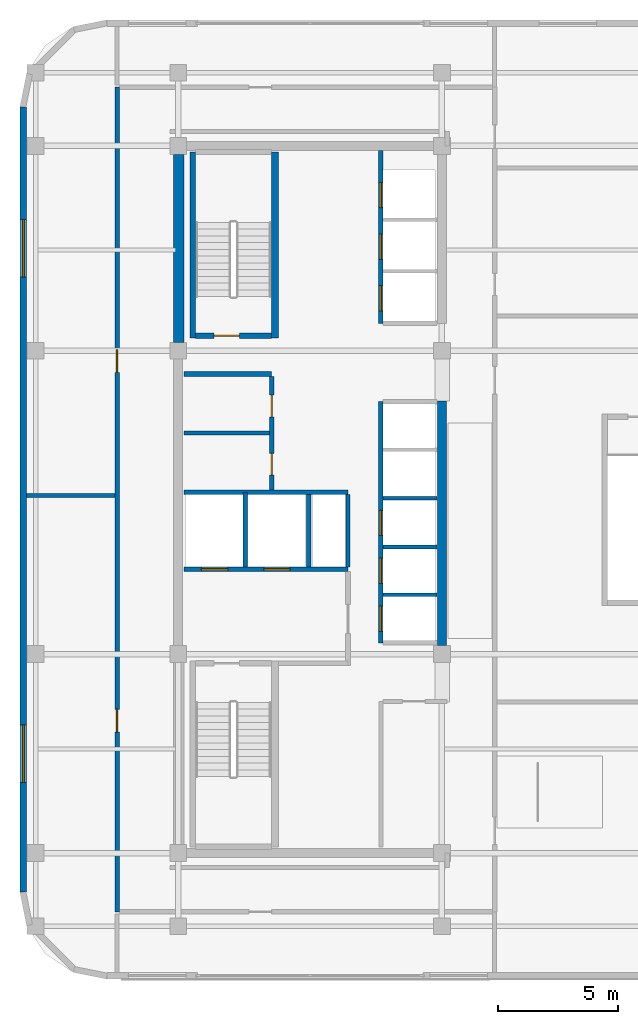
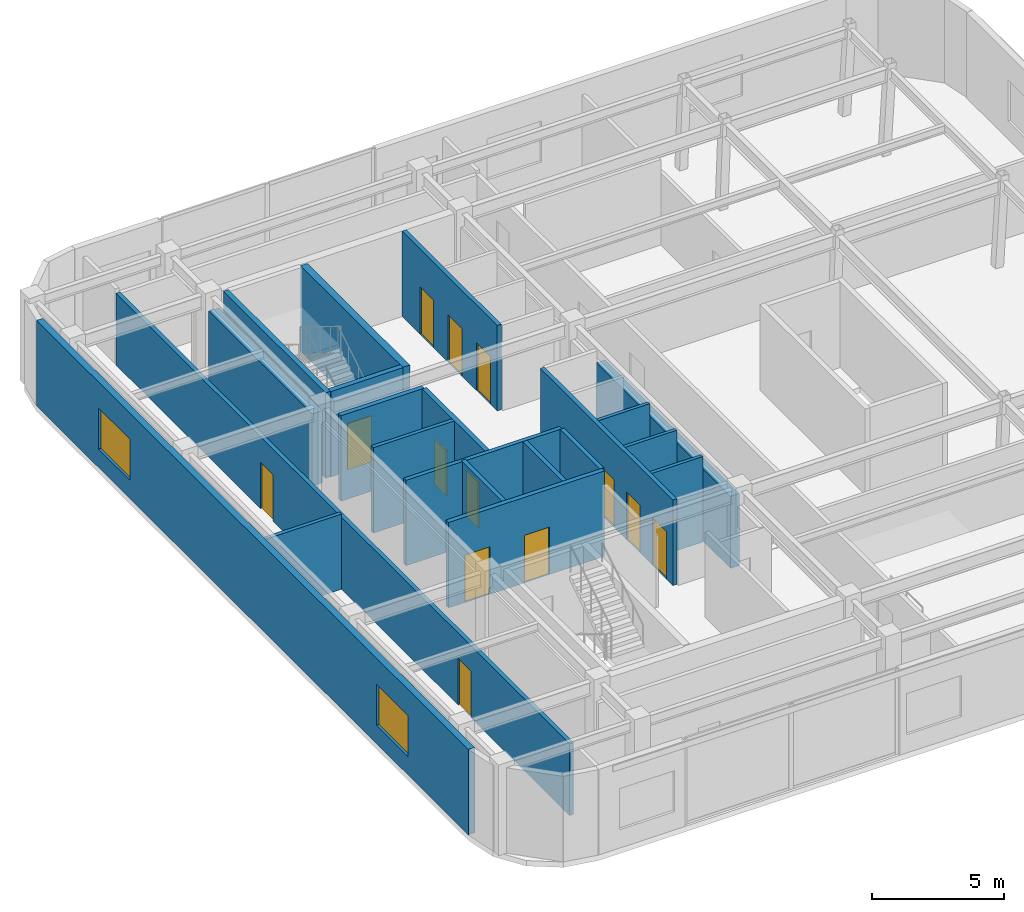
# One storey, part 6 of 11: 21 walls, 13 doors, 2 windows, 15 openings.
"""IFC4 building model written with IfcOpenShell, lengths in metres."""

from ifc_helpers import new_model, si_unit, direction, frame, frame_2d, origin, place, context, subcontext, project, spatial, rectangle, extrude, material, layer, layer_set, type_object, element, fill, save


model = new_model("IFC4")

# Units and contexts
model_context = context("Model", 3, precision=1e-05, world=origin(), true_north=direction((0.0, 1.0)))
body_context = subcontext(model_context, "Body", "Model", "MODEL_VIEW")
ifc_project = project(units=[si_unit("LENGTHUNIT", "METRE"), si_unit("AREAUNIT", "SQUARE_METRE"), si_unit("VOLUMEUNIT", "CUBIC_METRE"), si_unit("PLANEANGLEUNIT", "RADIAN"), si_unit("MASSUNIT", "GRAM", prefix="KILO")], contexts=[model_context])

# Site, building, storey
site_placement = place(None, origin())
site = spatial("IfcSite", under=ifc_project, at=site_placement, CompositionType="ELEMENT")
building_placement = place(site_placement, origin())
building = spatial("IfcBuilding", under=site, at=building_placement, Name="Ochreholt Gables", CompositionType="ELEMENT")
storey_placement = place(building_placement, frame((0.0, 0.0, 192.0)))
storey = spatial("IfcBuildingStorey", under=building, at=storey_placement, Name="L50", CompositionType="ELEMENT", Elevation=192.0)

# Walls
ifc_material_1 = material(Name="Concrete 50 MPa", Category="concrete")
ifc_layer_1 = layer(ifc_material_1, 0.3798828125, Name="Concrete 50 MPa")
ifc_layer_set_1 = layer_set([ifc_layer_1], Name="Concrete 50 MPa")
wall_type_1 = type_object("IfcWallType", Name="WALL-CSW-380", PredefinedType="SHEAR", material=ifc_layer_set_1)
wall_1_placement = place(storey_placement, frame((35.2099609375, 17.89990234375, 0.0), z_axis=(0.0, 0.0, 1.0), x_axis=(0.0, 1.0, 0.0)))
element("IfcWall", 1, at=wall_1_placement, inside=storey, type_object=wall_type_1, Name="L50 Core Central-East Shear Wall", PredefinedType="SHEAR", context=body_context, shape_type="SweptSolid", body=[
    extrude(rectangle(XDim=10.2001953125, YDim=0.3798828125, at=frame_2d((5.10009765625, 0.0))), origin(), (0.0, 0.0, 1.0), 3.347900390625),
])
ifc_material_2 = material(Name="Concrete 60 MPa", Category="concrete")
ifc_layer_2 = layer(ifc_material_2, 0.449951171875, Name="Concrete 60 MPa")
ifc_layer_set_2 = layer_set([ifc_layer_2], Name="Concrete 60 MPa")
wall_type_2 = type_object("IfcWallType", Name="WALL-CSW-450", PredefinedType="SHEAR", material=ifc_layer_set_2)
wall_2_placement = place(storey_placement, frame((24.22509765625, 30.550048828125, 0.0), z_axis=(0.0, 0.0, 1.0), x_axis=(0.0, 1.0, 0.0)))
element("IfcWall", 2, at=wall_2_placement, inside=storey, type_object=wall_type_2, Name="L50 Core West Shear Wall WN", PredefinedType="SHEAR", context=body_context, shape_type="SweptSolid", body=[
    extrude(rectangle(XDim=7.849853515625, YDim=0.449951171875, at=frame_2d((3.9248046875, 0.0))), origin(), (0.0, 0.0, 1.0), 3.347900390625),
])

# Wall, openings, windows
ifc_material_3 = material(Name="Precast concrete 40 MPa", Category="concrete")
ifc_layer_3 = layer(ifc_material_3, 0.280029296875, Name="Precast concrete 40 MPa")
ifc_layer_set_3 = layer_set([ifc_layer_3], Name="Precast concrete 40 MPa")
wall_type_3 = type_object("IfcWallType", Name="WALL-EXT-280", PredefinedType="SOLIDWALL", material=ifc_layer_set_3)
wall_3_placement = place(storey_placement, frame((17.739990234375, 40.3798828125, 0.0), z_axis=(0.0, 0.0, 1.0), x_axis=(0.0, -1.0, 0.0)))
wall_3 = element("IfcWall", 3, at=wall_3_placement, inside=storey, type_object=wall_type_3, Name="L50 West Exterior Wall", PredefinedType="SOLIDWALL", context=body_context, shape_type="SweptSolid", body=[
    extrude(rectangle(XDim=32.759765625, YDim=0.280029296875, at=frame_2d((16.3798828125, 0.0))), origin(), (0.0, 0.0, 1.0), 3.9599609375),
])
opening_1_placement = place(wall_3_placement, frame((25.780029296875, 0.0, 0.85009765625)))
opening_1 = element("IfcOpeningElement", 4, at=opening_1_placement, cuts=wall_3, Name="Opening WN-5", PredefinedType="OPENING", context=body_context, shape_type="SweptSolid", body=[
    extrude(rectangle(XDim=2.39990234375, YDim=1.89990234375, at=frame_2d((1.199951171875, 0.949951171875))), frame((0.0, 0.14990234375, 0.0), z_axis=(0.0, -1.0, 0.0), x_axis=(1.0, 0.0, 0.0)), (0.0, 0.0, 1.0), 0.300048828125),
])
opening_2_placement = place(wall_3_placement, frame((4.705078125, 0.0, 0.85009765625)))
opening_2 = element("IfcOpeningElement", 5, at=opening_2_placement, cuts=wall_3, Name="Opening WN-5", PredefinedType="OPENING", context=body_context, shape_type="SweptSolid", body=[
    extrude(rectangle(XDim=2.39990234375, YDim=1.89990234375, at=frame_2d((1.199951171875, 0.949951171875))), frame((0.0, 0.14990234375, 0.0), z_axis=(0.0, -1.0, 0.0), x_axis=(1.0, 0.0, 0.0)), (0.0, 0.0, 1.0), 0.300048828125),
])
ifc_material_4 = material(Name="Triple-Glazed Thermally Broken Aluminium Window", Category="aluminium")
window_type = type_object("IfcWindowType", Name="WIN-COM-2400", PartitioningType="SINGLE_PANEL", PredefinedType="WINDOW", material=ifc_material_4)
window_1_placement = place(opening_1_placement, origin())
window_1 = element("IfcWindow", 6, at=window_1_placement, inside=storey, type_object=window_type, Name="L50 Window W-EXT-W-L50-1", OverallHeight=1.89990234375, OverallWidth=2.39990234375, PartitioningType="SINGLE_PANEL", PredefinedType="WINDOW", context=body_context, shape_type="SweptSolid", body=[
    extrude(rectangle(XDim=2.39990234375, YDim=1.89990234375, at=frame_2d((1.199951171875, 0.949951171875))), frame((0.0, 0.030029296875, 0.0), z_axis=(0.0, -1.0, 0.0), x_axis=(1.0, 0.0, 0.0)), (0.0, 0.0, 1.0), 0.06005859375),
])
fill(opening_1, window_1)
window_2_placement = place(opening_2_placement, origin())
window_2 = element("IfcWindow", 7, at=window_2_placement, inside=storey, type_object=window_type, Name="L50 Window W-EXT-W-L50-2", OverallHeight=1.89990234375, OverallWidth=2.39990234375, PartitioningType="SINGLE_PANEL", PredefinedType="WINDOW", context=body_context, shape_type="SweptSolid", body=[
    extrude(rectangle(XDim=2.39990234375, YDim=1.89990234375, at=frame_2d((1.199951171875, 0.949951171875))), frame((0.0, 0.030029296875, 0.0), z_axis=(0.0, -1.0, 0.0), x_axis=(1.0, 0.0, 0.0)), (0.0, 0.0, 1.0), 0.06005859375),
])
fill(opening_2, window_2)

# Wall, openings, doors
ifc_material_5 = material(Name="Concrete 40 MPa", Category="concrete")
ifc_layer_4 = layer(ifc_material_5, 0.199951171875, Name="Concrete 40 MPa")
ifc_layer_set_4 = layer_set([ifc_layer_4], Name="Concrete 40 MPa")
wall_type_4 = type_object("IfcWallType", Name="WALL-INT-CF200", PredefinedType="STANDARD", material=ifc_layer_set_4)
wall_4_placement = place(storey_placement, frame((24.449951171875, 21.090087890625, 0.0), z_axis=(0.0, 0.0, 1.0), x_axis=(1.0, 0.0, 0.0)))
wall_4 = element("IfcWall", 8, at=wall_4_placement, inside=storey, type_object=wall_type_4, Name="L50 Interior Wall WI-FFN-L50", PredefinedType="STANDARD", context=body_context, shape_type="SweptSolid", body=[
    extrude(rectangle(XDim=6.830078125, YDim=0.199951171875, at=frame_2d((3.4150390625, 0.0))), origin(), (0.0, 0.0, 1.0), 3.9599609375),
])
opening_3_placement = place(wall_4_placement, frame((0.719970703125, 0.0, 0.0)))
opening_3 = element("IfcOpeningElement", 9, at=opening_3_placement, cuts=wall_4, Name="Opening LD-FF", PredefinedType="OPENING", context=body_context, shape_type="SweptSolid", body=[
    extrude(rectangle(XDim=1.10009765625, YDim=2.199951171875, at=frame_2d((0.550048828125, 1.10009765625))), frame((0.0, 0.10986328125, 0.0), z_axis=(0.0, -1.0, 0.0), x_axis=(1.0, 0.0, 0.0)), (0.0, 0.0, 1.0), 0.219970703125),
])
opening_4_placement = place(wall_4_placement, frame((3.320068359375, 0.0, 0.0)))
opening_4 = element("IfcOpeningElement", 10, at=opening_4_placement, cuts=wall_4, Name="Opening LD-FF", PredefinedType="OPENING", context=body_context, shape_type="SweptSolid", body=[
    extrude(rectangle(XDim=1.10009765625, YDim=2.199951171875, at=frame_2d((0.550048828125, 1.10009765625))), frame((0.0, 0.10986328125, 0.0), z_axis=(0.0, -1.0, 0.0), x_axis=(1.0, 0.0, 0.0)), (0.0, 0.0, 1.0), 0.219970703125),
])
ifc_material_6 = material(Name="Stainless Steel", Category="steel")
door_type_1 = type_object("IfcDoorType", Name="DR-LFT-FF1100", OperationType="NOTDEFINED", PredefinedType="DOOR", material=ifc_material_6)
door_1_placement = place(opening_3_placement, origin())
door_1 = element("IfcDoor", 11, at=door_1_placement, inside=storey, type_object=door_type_1, Name="L50 Door LD-FF1-L50", OperationType="SLIDING_TO_LEFT", OverallHeight=2.199951171875, OverallWidth=1.10009765625, PredefinedType="DOOR", context=body_context, shape_type="SweptSolid", body=[
    extrude(rectangle(XDim=1.10009765625, YDim=2.199951171875, at=frame_2d((0.550048828125, 1.10009765625))), frame((0.0, 0.02490234375, 0.0), z_axis=(0.0, -1.0, 0.0), x_axis=(1.0, 0.0, 0.0)), (0.0, 0.0, 1.0), 0.050048828125),
])
fill(opening_3, door_1)
door_2_placement = place(opening_4_placement, origin())
door_2 = element("IfcDoor", 12, at=door_2_placement, inside=storey, type_object=door_type_1, Name="L50 Door LD-FF2-L50", OperationType="SLIDING_TO_LEFT", OverallHeight=2.199951171875, OverallWidth=1.10009765625, PredefinedType="DOOR", context=body_context, shape_type="SweptSolid", body=[
    extrude(rectangle(XDim=1.10009765625, YDim=2.199951171875, at=frame_2d((0.550048828125, 1.10009765625))), frame((0.0, 0.02490234375, 0.0), z_axis=(0.0, -1.0, 0.0), x_axis=(1.0, 0.0, 0.0)), (0.0, 0.0, 1.0), 0.050048828125),
])
fill(opening_4, door_2)

# Wall
wall_5_placement = place(storey_placement, frame((24.449951171875, 29.239990234375, 0.0), z_axis=(0.0, 0.0, 1.0), x_axis=(1.0, 0.0, 0.0)))
element("IfcWall", 13, at=wall_5_placement, inside=storey, type_object=wall_type_4, Name="L50 Interior Wall WI-SRVN-L50", PredefinedType="STANDARD", context=body_context, shape_type="SweptSolid", body=[
    extrude(rectangle(XDim=3.650146484375, YDim=0.199951171875, at=frame_2d((1.8251953125, 0.0))), origin(), (0.0, 0.0, 1.0), 3.9599609375),
])

# Wall, openings, doors
wall_6_placement = place(storey_placement, frame((28.10009765625, 24.389892578125, 0.0), z_axis=(0.0, 0.0, 1.0), x_axis=(0.0, 1.0, 0.0)))
wall_6 = element("IfcWall", 14, at=wall_6_placement, inside=storey, type_object=wall_type_4, Name="L50 Interior Wall WI-SRVE-L50", PredefinedType="STANDARD", context=body_context, shape_type="SweptSolid", body=[
    extrude(rectangle(XDim=4.75, YDim=0.199951171875, at=frame_2d((2.375, 0.0))), origin(), (0.0, 0.0, 1.0), 3.9599609375),
])
opening_5_placement = place(wall_6_placement, frame((0.6298828125, 0.0, 0.0)))
opening_5 = element("IfcOpeningElement", 15, at=opening_5_placement, cuts=wall_6, Name="Opening D-SV1", PredefinedType="OPENING", context=body_context, shape_type="SweptSolid", body=[
    extrude(rectangle(XDim=0.89990234375, YDim=2.10009765625, at=frame_2d((0.449951171875, 1.050048828125))), frame((0.0, 0.10986328125, 0.0), z_axis=(0.0, -1.0, 0.0), x_axis=(1.0, 0.0, 0.0)), (0.0, 0.0, 1.0), 0.219970703125),
])
opening_6_placement = place(wall_6_placement, frame((3.06005859375, 0.0, 0.0)))
opening_6 = element("IfcOpeningElement", 16, at=opening_6_placement, cuts=wall_6, Name="Opening D-SV1", PredefinedType="OPENING", context=body_context, shape_type="SweptSolid", body=[
    extrude(rectangle(XDim=0.89990234375, YDim=2.10009765625, at=frame_2d((0.449951171875, 1.050048828125))), frame((0.0, 0.10986328125, 0.0), z_axis=(0.0, -1.0, 0.0), x_axis=(1.0, 0.0, 0.0)), (0.0, 0.0, 1.0), 0.219970703125),
])
ifc_material_7 = material(Name="Hollow Metal Steel", Category="steel")
door_type_2 = type_object("IfcDoorType", Name="DR-INT-SRV900", OperationType="NOTDEFINED", PredefinedType="DOOR", material=ifc_material_7)
door_3_placement = place(opening_5_placement, origin())
door_3 = element("IfcDoor", 17, at=door_3_placement, inside=storey, type_object=door_type_2, Name="L50 Door D-SRV1-L50", OperationType="SINGLE_SWING_LEFT", OverallHeight=2.10009765625, OverallWidth=0.89990234375, PredefinedType="DOOR", context=body_context, shape_type="SweptSolid", body=[
    extrude(rectangle(XDim=0.89990234375, YDim=2.10009765625, at=frame_2d((0.449951171875, 1.050048828125))), frame((0.0, 0.02490234375, 0.0), z_axis=(0.0, -1.0, 0.0), x_axis=(1.0, 0.0, 0.0)), (0.0, 0.0, 1.0), 0.050048828125),
])
fill(opening_5, door_3)
door_4_placement = place(opening_6_placement, origin())
door_4 = element("IfcDoor", 18, at=door_4_placement, inside=storey, type_object=door_type_2, Name="L50 Door D-SRV2-L50", OperationType="SINGLE_SWING_RIGHT", OverallHeight=2.10009765625, OverallWidth=0.89990234375, PredefinedType="DOOR", context=body_context, shape_type="SweptSolid", body=[
    extrude(rectangle(XDim=0.89990234375, YDim=2.10009765625, at=frame_2d((0.449951171875, 1.050048828125))), frame((0.0, 0.02490234375, 0.0), z_axis=(0.0, -1.0, 0.0), x_axis=(1.0, 0.0, 0.0)), (0.0, 0.0, 1.0), 0.050048828125),
])
fill(opening_6, door_4)

ifc_material_8 = material(Name="Fire-Rated Gypsum Acoustic Partition", Category="gypsum")
ifc_layer_5 = layer(ifc_material_8, 0.179931640625, Name="Fire-Rated Gypsum Acoustic Partition")
ifc_layer_set_5 = layer_set([ifc_layer_5], Name="Fire-Rated Gypsum Acoustic Partition")
wall_type_5 = type_object("IfcWallType", Name="WALL-INT-CR180", PredefinedType="STANDARD", material=ifc_layer_set_5)
wall_7_placement = place(storey_placement, frame((21.64990234375, 6.800048828125, 0.0), z_axis=(0.0, 0.0, 1.0), x_axis=(0.0, 1.0, 0.0)))
wall_7 = element("IfcWall", 19, at=wall_7_placement, inside=storey, type_object=wall_type_5, Name="L50 Interior Wall WI-CMCW-L50", PredefinedType="STANDARD", context=body_context, shape_type="SweptSolid", body=[
    extrude(rectangle(XDim=34.39990234375, YDim=0.179931640625, at=frame_2d((17.199951171875, 0.0))), origin(), (0.0, 0.0, 1.0), 3.330078125),
])
opening_7_placement = place(wall_7_placement, frame((7.5, 0.0, 0.0)))
opening_7 = element("IfcOpeningElement", 20, at=opening_7_placement, cuts=wall_7, Name="Opening D-GN1", PredefinedType="OPENING", context=body_context, shape_type="SweptSolid", body=[
    extrude(rectangle(XDim=0.949951171875, YDim=2.14990234375, at=frame_2d((0.47509765625, 1.074951171875))), frame((0.0, 0.099853515625, 0.0), z_axis=(0.0, -1.0, 0.0), x_axis=(1.0, 0.0, 0.0)), (0.0, 0.0, 1.0), 0.199951171875),
])
opening_8_placement = place(wall_7_placement, frame((22.5, 0.0, 0.0)))
opening_8 = element("IfcOpeningElement", 21, at=opening_8_placement, cuts=wall_7, Name="Opening D-GN1", PredefinedType="OPENING", context=body_context, shape_type="SweptSolid", body=[
    extrude(rectangle(XDim=0.949951171875, YDim=2.14990234375, at=frame_2d((0.47509765625, 1.074951171875))), frame((0.0, 0.099853515625, 0.0), z_axis=(0.0, -1.0, 0.0), x_axis=(1.0, 0.0, 0.0)), (0.0, 0.0, 1.0), 0.199951171875),
])
ifc_material_9 = material(Name="Engineered Oak Timber", Category="wood")
door_type_3 = type_object("IfcDoorType", Name="DR-INT-GEN950", OperationType="NOTDEFINED", PredefinedType="DOOR", material=ifc_material_9)
door_5_placement = place(opening_7_placement, origin())
door_5 = element("IfcDoor", 22, at=door_5_placement, inside=storey, type_object=door_type_3, Name="L50 Door D-CMW1-L50", OperationType="SINGLE_SWING_LEFT", OverallHeight=2.14990234375, OverallWidth=0.949951171875, PredefinedType="DOOR", context=body_context, shape_type="SweptSolid", body=[
    extrude(rectangle(XDim=0.949951171875, YDim=2.14990234375, at=frame_2d((0.47509765625, 1.074951171875))), frame((0.0, 0.02490234375, 0.0), z_axis=(0.0, -1.0, 0.0), x_axis=(1.0, 0.0, 0.0)), (0.0, 0.0, 1.0), 0.050048828125),
])
fill(opening_7, door_5)
door_6_placement = place(opening_8_placement, origin())
door_6 = element("IfcDoor", 23, at=door_6_placement, inside=storey, type_object=door_type_3, Name="L50 Door D-CMW2-L50", OperationType="SINGLE_SWING_RIGHT", OverallHeight=2.14990234375, OverallWidth=0.949951171875, PredefinedType="DOOR", context=body_context, shape_type="SweptSolid", body=[
    extrude(rectangle(XDim=0.949951171875, YDim=2.14990234375, at=frame_2d((0.47509765625, 1.074951171875))), frame((0.0, 0.02490234375, 0.0), z_axis=(0.0, -1.0, 0.0), x_axis=(1.0, 0.0, 0.0)), (0.0, 0.0, 1.0), 0.050048828125),
])
fill(opening_8, door_6)

# Walls
ifc_material_10 = material(Name="Gypsum Acoustic Stud Partition", Category="gypsum")
ifc_layer_6 = layer(ifc_material_10, 0.1650390625, Name="Gypsum Acoustic Stud Partition")
ifc_layer_set_6 = layer_set([ifc_layer_6], Name="Gypsum Acoustic Stud Partition")
wall_type_6 = type_object("IfcWallType", Name="WALL-INT-PT165", PredefinedType="PARTITIONING", material=ifc_layer_set_6)
wall_8_placement = place(storey_placement, frame((24.449951171875, 26.780029296875, 0.0), z_axis=(0.0, 0.0, 1.0), x_axis=(1.0, 0.0, 0.0)))
element("IfcWall", 24, at=wall_8_placement, inside=storey, type_object=wall_type_6, Name="L50 Interior Wall WI-SRVP1-L50", PredefinedType="PARTITIONING", context=body_context, shape_type="SweptSolid", body=[
    extrude(rectangle(XDim=3.550048828125, YDim=0.1650390625, at=frame_2d((1.77490234375, 0.0))), origin(), (0.0, 0.0, 1.0), 3.9599609375),
])
wall_9_placement = place(storey_placement, frame((17.8798828125, 24.175048828125, 0.0), z_axis=(0.0, 0.0, 1.0), x_axis=(1.0, 0.0, 0.0)))
element("IfcWall", 25, at=wall_9_placement, inside=storey, type_object=wall_type_6, Name="L50 Interior Wall WI-CMWM-L50", PredefinedType="PARTITIONING", context=body_context, shape_type="SweptSolid", body=[
    extrude(rectangle(XDim=3.68017578125, YDim=0.1650390625, at=frame_2d((1.840087890625, 0.0))), origin(), (0.0, 0.0, 1.0), 3.47900390625),
])
ifc_material_11 = material(Name="Gypsum Shaftliner and Steel Stud", Category="steel")
ifc_layer_7 = layer(ifc_material_11, 0.14990234375, Name="Gypsum Shaftliner and Steel Stud")
ifc_layer_set_7 = layer_set([ifc_layer_7], Name="Gypsum Shaftliner and Steel Stud")
wall_type_7 = type_object("IfcWallType", Name="WALL-INT-SH150", PredefinedType="STANDARD", material=ifc_layer_set_7)
for number, where, z_axis, x_axis, name in (
    (26, (32.739990234375, 20.02001953125, 0.0), (0.0, 0.0, 1.0), (1.0, 0.0, 0.0), "L50 Interior Wall WI-LFHE-DH1-L50"),
    (27, (32.739990234375, 22.02001953125, 0.0), (0.0, 0.0, 1.0), (1.0, 0.0, 0.0), "L50 Interior Wall WI-LFHE-DH2-L50"),
    (28, (32.739990234375, 24.050048828125, 0.0), (0.0, 0.0, 1.0), (1.0, 0.0, 0.0), "L50 Interior Wall WI-LFHE-DHE-L50"),
):
    element("IfcWall", number, at=place(storey_placement, frame(where, z_axis=z_axis, x_axis=x_axis)), inside=storey, type_object=wall_type_7, Name=name, PredefinedType="STANDARD", context=body_context, shape_type="SweptSolid", body=[
        extrude(rectangle(XDim=2.260009765625, YDim=0.14990234375, at=frame_2d((1.1298828125, 0.0))), origin(), (0.0, 0.0, 1.0), 3.9599609375),
    ])
ifc_layer_8 = layer(ifc_material_11, 0.179931640625, Name="Gypsum Shaftliner and Steel Stud")
ifc_layer_set_8 = layer_set([ifc_layer_8], Name="Gypsum Shaftliner and Steel Stud")
wall_type_8 = type_object("IfcWallType", Name="WALL-INT-SH180", PredefinedType="STANDARD", material=ifc_layer_set_8)
wall_10_placement = place(storey_placement, frame((27.0, 21.18994140625, 0.0), z_axis=(0.0, 0.0, 1.0), x_axis=(0.0, 1.0, 0.0)))
element("IfcWall", 29, at=wall_10_placement, inside=storey, type_object=wall_type_8, Name="L50 Interior Wall WI-FFDIV-L50", PredefinedType="STANDARD", context=body_context, shape_type="SweptSolid", body=[
    extrude(rectangle(XDim=3.110107421875, YDim=0.179931640625, at=frame_2d((1.55517578125, 0.0))), origin(), (0.0, 0.0, 1.0), 3.9599609375),
])
wall_11_placement = place(storey_placement, frame((24.449951171875, 24.300048828125, 0.0), z_axis=(0.0, 0.0, 1.0), x_axis=(1.0, 0.0, 0.0)))
element("IfcWall", 30, at=wall_11_placement, inside=storey, type_object=wall_type_8, Name="L50 Interior Wall WI-FFBK-L50", PredefinedType="STANDARD", context=body_context, shape_type="SweptSolid", body=[
    extrude(rectangle(XDim=6.830078125, YDim=0.179931640625, at=frame_2d((3.4150390625, 0.0))), origin(), (0.0, 0.0, 1.0), 3.9599609375),
])
for number, where, z_axis, x_axis, name in (
    (31, (29.64990234375, 21.18994140625, 0.0), (0.0, 0.0, 1.0), (0.0, 1.0, 0.0), "L50 Interior Wall WI-FFSH-L50"),
    (32, (31.280029296875, 21.18994140625, 0.0), (0.0, 0.0, 1.0), (0.0, 1.0, 0.0), "L50 Interior Wall WI-RSE-L50"),
):
    element("IfcWall", number, at=place(storey_placement, frame(where, z_axis=z_axis, x_axis=x_axis)), inside=storey, type_object=wall_type_8, Name=name, PredefinedType="STANDARD", context=body_context, shape_type="SweptSolid", body=[
        extrude(rectangle(XDim=3.02001953125, YDim=0.179931640625, at=frame_2d((1.510009765625, 0.0))), origin(), (0.0, 0.0, 1.0), 3.9599609375),
    ])

# Wall, openings, doors
wall_12_placement = place(storey_placement, frame((32.64990234375, 18.02001953125, 0.0), z_axis=(0.0, 0.0, 1.0), x_axis=(0.0, 1.0, 0.0)))
wall_12 = element("IfcWall", 33, at=wall_12_placement, inside=storey, type_object=wall_type_8, Name="L50 Interior Wall WI-LFHE-FR-L50", PredefinedType="STANDARD", context=body_context, shape_type="SweptSolid", body=[
    extrude(rectangle(XDim=10.06005859375, YDim=0.179931640625, at=frame_2d((5.030029296875, 0.0))), origin(), (0.0, 0.0, 1.0), 3.9599609375),
])
opening_9_placement = place(wall_12_placement, frame((0.47998046875, 0.0, 0.0)))
opening_9 = element("IfcOpeningElement", 34, at=opening_9_placement, cuts=wall_12, Name="Opening LD-PX", PredefinedType="OPENING", context=body_context, shape_type="SweptSolid", body=[
    extrude(rectangle(XDim=1.050048828125, YDim=2.199951171875, at=frame_2d((0.52490234375, 1.10009765625))), frame((0.0, 0.099853515625, 0.0), z_axis=(0.0, -1.0, 0.0), x_axis=(1.0, 0.0, 0.0)), (0.0, 0.0, 1.0), 0.199951171875),
])
opening_10_placement = place(wall_12_placement, frame((2.47998046875, 0.0, 0.0)))
opening_10 = element("IfcOpeningElement", 35, at=opening_10_placement, cuts=wall_12, Name="Opening LD-PX", PredefinedType="OPENING", context=body_context, shape_type="SweptSolid", body=[
    extrude(rectangle(XDim=1.050048828125, YDim=2.199951171875, at=frame_2d((0.52490234375, 1.10009765625))), frame((0.0, 0.099853515625, 0.0), z_axis=(0.0, -1.0, 0.0), x_axis=(1.0, 0.0, 0.0)), (0.0, 0.0, 1.0), 0.199951171875),
])
opening_11_placement = place(wall_12_placement, frame((4.47998046875, 0.0, 0.0)))
opening_11 = element("IfcOpeningElement", 36, at=opening_11_placement, cuts=wall_12, Name="Opening LD-PX", PredefinedType="OPENING", context=body_context, shape_type="SweptSolid", body=[
    extrude(rectangle(XDim=1.050048828125, YDim=2.199951171875, at=frame_2d((0.52490234375, 1.10009765625))), frame((0.0, 0.099853515625, 0.0), z_axis=(0.0, -1.0, 0.0), x_axis=(1.0, 0.0, 0.0)), (0.0, 0.0, 1.0), 0.199951171875),
])
door_type_4 = type_object("IfcDoorType", Name="DR-LFT-PX1050", OperationType="NOTDEFINED", PredefinedType="DOOR", material=ifc_material_6)
door_7_placement = place(opening_9_placement, origin())
door_7 = element("IfcDoor", 37, at=door_7_placement, inside=storey, type_object=door_type_4, Name="L50 Door LD-LF-H1-L50", OperationType="SLIDING_TO_LEFT", OverallHeight=2.199951171875, OverallWidth=1.050048828125, PredefinedType="DOOR", context=body_context, shape_type="SweptSolid", body=[
    extrude(rectangle(XDim=1.050048828125, YDim=2.199951171875, at=frame_2d((0.52490234375, 1.10009765625))), frame((0.0, 0.02490234375, 0.0), z_axis=(0.0, -1.0, 0.0), x_axis=(1.0, 0.0, 0.0)), (0.0, 0.0, 1.0), 0.050048828125),
])
fill(opening_9, door_7)
door_8_placement = place(opening_10_placement, origin())
door_8 = element("IfcDoor", 38, at=door_8_placement, inside=storey, type_object=door_type_4, Name="L50 Door LD-LF-H2-L50", OperationType="SLIDING_TO_LEFT", OverallHeight=2.199951171875, OverallWidth=1.050048828125, PredefinedType="DOOR", context=body_context, shape_type="SweptSolid", body=[
    extrude(rectangle(XDim=1.050048828125, YDim=2.199951171875, at=frame_2d((0.52490234375, 1.10009765625))), frame((0.0, 0.02490234375, 0.0), z_axis=(0.0, -1.0, 0.0), x_axis=(1.0, 0.0, 0.0)), (0.0, 0.0, 1.0), 0.050048828125),
])
fill(opening_10, door_8)
door_9_placement = place(opening_11_placement, origin())
door_9 = element("IfcDoor", 39, at=door_9_placement, inside=storey, type_object=door_type_4, Name="L50 Door LD-LF-H3-L50", OperationType="SLIDING_TO_LEFT", OverallHeight=2.199951171875, OverallWidth=1.050048828125, PredefinedType="DOOR", context=body_context, shape_type="SweptSolid", body=[
    extrude(rectangle(XDim=1.050048828125, YDim=2.199951171875, at=frame_2d((0.52490234375, 1.10009765625))), frame((0.0, 0.02490234375, 0.0), z_axis=(0.0, -1.0, 0.0), x_axis=(1.0, 0.0, 0.0)), (0.0, 0.0, 1.0), 0.050048828125),
])
fill(opening_11, door_9)

wall_13_placement = place(storey_placement, frame((32.64990234375, 31.35009765625, 0.0), z_axis=(0.0, 0.0, 1.0), x_axis=(0.0, 1.0, 0.0)))
wall_13 = element("IfcWall", 40, at=wall_13_placement, inside=storey, type_object=wall_type_8, Name="L50 Interior Wall WI-LFM-FR-L50", PredefinedType="STANDARD", context=body_context, shape_type="SweptSolid", body=[
    extrude(rectangle(XDim=7.2099609375, YDim=0.179931640625, at=frame_2d((3.60498046875, 0.0))), origin(), (0.0, 0.0, 1.0), 3.9599609375),
])
opening_12_placement = place(wall_13_placement, frame((0.52001953125, 0.0, 0.0)))
opening_12 = element("IfcOpeningElement", 41, at=opening_12_placement, cuts=wall_13, Name="Opening LD-PX", PredefinedType="OPENING", context=body_context, shape_type="SweptSolid", body=[
    extrude(rectangle(XDim=1.050048828125, YDim=2.199951171875, at=frame_2d((0.52490234375, 1.10009765625))), frame((0.0, 0.099853515625, 0.0), z_axis=(0.0, -1.0, 0.0), x_axis=(1.0, 0.0, 0.0)), (0.0, 0.0, 1.0), 0.199951171875),
])
opening_13_placement = place(wall_13_placement, frame((2.669921875, 0.0, 0.0)))
opening_13 = element("IfcOpeningElement", 42, at=opening_13_placement, cuts=wall_13, Name="Opening LD-PX", PredefinedType="OPENING", context=body_context, shape_type="SweptSolid", body=[
    extrude(rectangle(XDim=1.050048828125, YDim=2.199951171875, at=frame_2d((0.52490234375, 1.10009765625))), frame((0.0, 0.099853515625, 0.0), z_axis=(0.0, -1.0, 0.0), x_axis=(1.0, 0.0, 0.0)), (0.0, 0.0, 1.0), 0.199951171875),
])
opening_14_placement = place(wall_13_placement, frame((4.820068359375, 0.0, 0.0)))
opening_14 = element("IfcOpeningElement", 43, at=opening_14_placement, cuts=wall_13, Name="Opening LD-PX", PredefinedType="OPENING", context=body_context, shape_type="SweptSolid", body=[
    extrude(rectangle(XDim=1.050048828125, YDim=2.199951171875, at=frame_2d((0.52490234375, 1.10009765625))), frame((0.0, 0.099853515625, 0.0), z_axis=(0.0, -1.0, 0.0), x_axis=(1.0, 0.0, 0.0)), (0.0, 0.0, 1.0), 0.199951171875),
])
door_10_placement = place(opening_12_placement, origin())
door_10 = element("IfcDoor", 44, at=door_10_placement, inside=storey, type_object=door_type_4, Name="L50 Door LD-M1-L50", OperationType="SLIDING_TO_LEFT", OverallHeight=2.199951171875, OverallWidth=1.050048828125, PredefinedType="DOOR", context=body_context, shape_type="SweptSolid", body=[
    extrude(rectangle(XDim=1.050048828125, YDim=2.199951171875, at=frame_2d((0.52490234375, 1.10009765625))), frame((0.0, 0.02490234375, 0.0), z_axis=(0.0, -1.0, 0.0), x_axis=(1.0, 0.0, 0.0)), (0.0, 0.0, 1.0), 0.050048828125),
])
fill(opening_12, door_10)
door_11_placement = place(opening_13_placement, origin())
door_11 = element("IfcDoor", 45, at=door_11_placement, inside=storey, type_object=door_type_4, Name="L50 Door LD-M2-L50", OperationType="SLIDING_TO_LEFT", OverallHeight=2.199951171875, OverallWidth=1.050048828125, PredefinedType="DOOR", context=body_context, shape_type="SweptSolid", body=[
    extrude(rectangle(XDim=1.050048828125, YDim=2.199951171875, at=frame_2d((0.52490234375, 1.10009765625))), frame((0.0, 0.02490234375, 0.0), z_axis=(0.0, -1.0, 0.0), x_axis=(1.0, 0.0, 0.0)), (0.0, 0.0, 1.0), 0.050048828125),
])
fill(opening_13, door_11)
door_12_placement = place(opening_14_placement, origin())
door_12 = element("IfcDoor", 46, at=door_12_placement, inside=storey, type_object=door_type_4, Name="L50 Door LD-M3-L50", OperationType="SLIDING_TO_LEFT", OverallHeight=2.199951171875, OverallWidth=1.050048828125, PredefinedType="DOOR", context=body_context, shape_type="SweptSolid", body=[
    extrude(rectangle(XDim=1.050048828125, YDim=2.199951171875, at=frame_2d((0.52490234375, 1.10009765625))), frame((0.0, 0.02490234375, 0.0), z_axis=(0.0, -1.0, 0.0), x_axis=(1.0, 0.0, 0.0)), (0.0, 0.0, 1.0), 0.050048828125),
])
fill(opening_14, door_12)

# Walls
ifc_layer_9 = layer(ifc_material_2, 0.300048828125, Name="Concrete 60 MPa")
ifc_layer_set_9 = layer_set([ifc_layer_9], Name="Concrete 60 MPa")
wall_type_9 = type_object("IfcWallType", Name="WALL-SPN-300", PredefinedType="SHEAR", material=ifc_layer_set_9)
wall_14_placement = place(storey_placement, frame((28.22998046875, 30.739990234375, 0.0), z_axis=(0.0, 0.0, 1.0), x_axis=(0.0, 1.0, 0.0)))
element("IfcWall", 47, at=wall_14_placement, inside=storey, type_object=wall_type_9, Name="L50 Core North Spine Shear Wall", PredefinedType="SHEAR", context=body_context, shape_type="SweptSolid", body=[
    extrude(rectangle(XDim=7.760009765625, YDim=0.300048828125, at=frame_2d((3.8798828125, 0.0))), origin(), (0.0, 0.0, 1.0), 3.9599609375),
])
ifc_layer_10 = layer(ifc_material_1, 0.219970703125, Name="Concrete 50 MPa")
ifc_layer_set_10 = layer_set([ifc_layer_10], Name="Concrete 50 MPa")
wall_type_10 = type_object("IfcWallType", Name="WALL-STW-220", PredefinedType="SHEAR", material=ifc_layer_set_10)
wall_15_placement = place(storey_placement, frame((24.81005859375, 30.739990234375, 0.0), z_axis=(0.0, 0.0, 1.0), x_axis=(0.0, 1.0, 0.0)))
element("IfcWall", 48, at=wall_15_placement, inside=storey, type_object=wall_type_10, Name="L50 Exit Stair 2 West Wall", PredefinedType="SHEAR", context=body_context, shape_type="SweptSolid", body=[
    extrude(rectangle(XDim=7.760009765625, YDim=0.219970703125, at=frame_2d((3.8798828125, 0.0))), origin(), (0.0, 0.0, 1.0), 3.9599609375),
])

# Wall, opening, door
wall_16_placement = place(storey_placement, frame((24.919921875, 30.830078125, 0.0), z_axis=(0.0, 0.0, 1.0), x_axis=(1.0, 0.0, 0.0)))
wall_16 = element("IfcWall", 49, at=wall_16_placement, inside=storey, type_object=wall_type_10, Name="L50 Exit Stair 2 South Wall", PredefinedType="SHEAR", context=body_context, shape_type="SweptSolid", body=[
    extrude(rectangle(XDim=3.16015625, YDim=0.219970703125, at=frame_2d((1.580078125, 0.0))), origin(), (0.0, 0.0, 1.0), 3.9599609375),
])
opening_15_placement = place(wall_16_placement, frame((0.780029296875, 0.0, 0.0)))
opening_15 = element("IfcOpeningElement", 50, at=opening_15_placement, cuts=wall_16, Name="Opening D-STC", PredefinedType="OPENING", context=body_context, shape_type="SweptSolid", body=[
    extrude(rectangle(XDim=1.050048828125, YDim=2.14990234375, at=frame_2d((0.52490234375, 1.074951171875))), frame((0.0, 0.119873046875, 0.0), z_axis=(0.0, -1.0, 0.0), x_axis=(1.0, 0.0, 0.0)), (0.0, 0.0, 1.0), 0.239990234375),
])
door_type_5 = type_object("IfcDoorType", Name="DR-INT-ST1050", OperationType="NOTDEFINED", PredefinedType="DOOR", material=ifc_material_7)
door_13_placement = place(opening_15_placement, origin())
door_13 = element("IfcDoor", 51, at=door_13_placement, inside=storey, type_object=door_type_5, Name="L50 Door D-ST2-L50", OperationType="SINGLE_SWING_RIGHT", OverallHeight=2.14990234375, OverallWidth=1.050048828125, PredefinedType="DOOR", context=body_context, shape_type="SweptSolid", body=[
    extrude(rectangle(XDim=1.050048828125, YDim=2.14990234375, at=frame_2d((0.52490234375, 1.074951171875))), frame((0.0, 0.02490234375, 0.0), z_axis=(0.0, -1.0, 0.0), x_axis=(1.0, 0.0, 0.0)), (0.0, 0.0, 1.0), 0.050048828125),
])
fill(opening_15, door_13)

save(model, "model.ifc")
